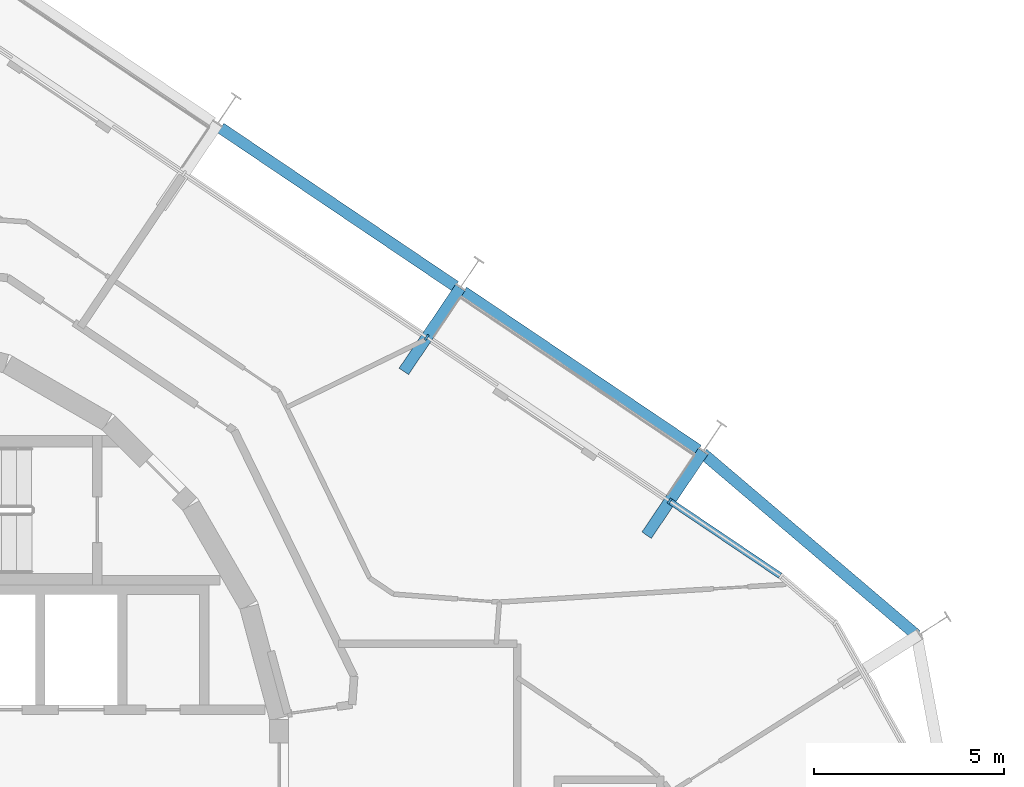
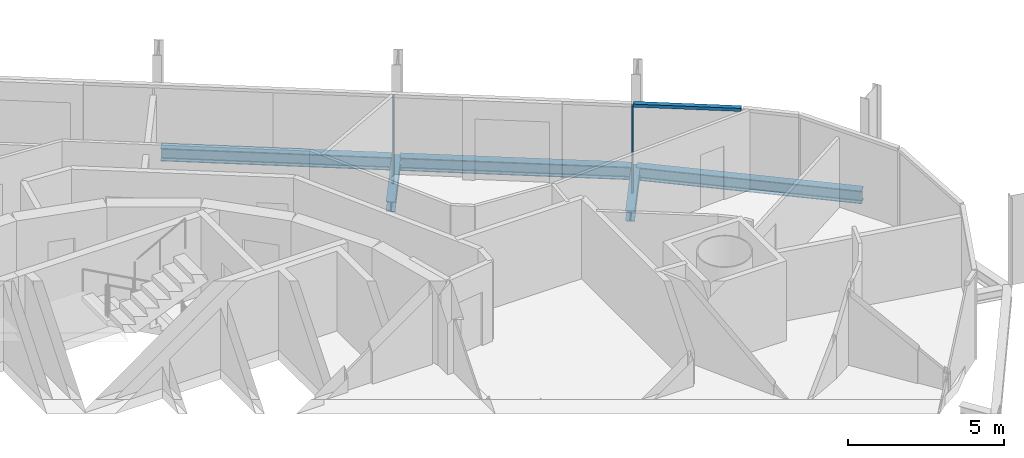
# One storey, part 9 of 18: 5 beams, 3 members, 2 elements without a shape of their own.
"""IFC4 building model written with IfcOpenShell, lengths in metres."""

from ifc_helpers import new_model, si_unit, direction, frame, origin, origin_2d, place, context, subcontext, project, spatial, rectangle, i_section, extrude, material, layer, layer_set, material_profile, profile_set, type_object, element, aggregate, save


model = new_model("IFC4")

# Units and contexts
model_context = context("Model", 3, precision=1e-05, world=origin(), true_north=direction((0.0, 1.0)))
body_context = subcontext(model_context, "Body", "Model", "MODEL_VIEW")
ifc_project = project(units=[si_unit("LENGTHUNIT", "METRE"), si_unit("AREAUNIT", "SQUARE_METRE"), si_unit("VOLUMEUNIT", "CUBIC_METRE"), si_unit("PLANEANGLEUNIT", "RADIAN"), si_unit("MASSUNIT", "GRAM", prefix="KILO")], contexts=[model_context])

# Site, building, storey
site_placement = place(None, origin())
site = spatial("IfcSite", under=ifc_project, at=site_placement, CompositionType="ELEMENT")
building_placement = place(site_placement, origin())
building = spatial("IfcBuilding", under=site, at=building_placement, Name="Spindle Arch Residences", CompositionType="ELEMENT")
storey_placement = place(building_placement, frame((0.0, 0.0, 205.89990234375)))
storey = spatial("IfcBuildingStorey", under=building, at=storey_placement, Name="L52", CompositionType="ELEMENT", Elevation=205.89990234375)

# Curtain wall, members
ifc_material_1 = material(Name="Aluminium bronze unitised frame with tinted glass", Category="aluminium")
ifc_layer_1 = layer(ifc_material_1, 0.159912109375)
ifc_layer_set_1 = layer_set([ifc_layer_1], Name="CW-C typical residential unitised wall")
curtain_wall_type_1 = type_object("IfcCurtainWallType", Name="CW-C typical residential unitised wall", PredefinedType="NOTDEFINED", material=ifc_layer_set_1)
curtain_wall_1_placement = place(storey_placement, origin())
curtain_wall_1 = element("IfcCurtainWall", 1, at=curtain_wall_1_placement, inside=storey, type_object=curtain_wall_type_1, Name="CW-C L52 run 2", PredefinedType="NOTDEFINED")
ifc_material_2 = material(Name="Aluminium bronze anodised mullion", Category="aluminium")
ifc_material_profile_1 = material_profile(ifc_material_2, rectangle(XDim=0.159912109375, YDim=0.06005859375, at=origin_2d()), Name="MU 60x160")
ifc_profile_set_1 = profile_set([ifc_material_profile_1], Name="Aluminium bronze anodised mullion")
member_type_1 = type_object("IfcMemberType", Name="Bronze mullion 60x160", PredefinedType="MULLION", material=ifc_profile_set_1)
member_1_placement = place(storey_placement, frame((21.905029296875, 7.25146484375, -0.3798828125), z_axis=(0.0, 0.0, 1.0), x_axis=(-0.559192903471, -0.829037572555, 0.0)))
member_1 = element("IfcMember", 2, at=member_1_placement, type_object=member_type_1, Name="CW-C mullion 05", PredefinedType="MULLION", context=body_context, shape_type="SweptSolid", body=[
    extrude(rectangle(XDim=0.159912109375, YDim=0.06005859375, at=origin_2d()), origin(), (0.0, 0.0, 1.0), 3.3798828125),
])
member_2_placement = place(storey_placement, frame((15.526611328125, 11.5537109375, -0.3798828125), z_axis=(0.0, 0.0, 1.0), x_axis=(-0.559192903471, -0.829037572555, 0.0)))
member_2 = element("IfcMember", 3, at=member_2_placement, type_object=member_type_1, Name="CW-C mullion 06", PredefinedType="MULLION", context=body_context, shape_type="SweptSolid", body=[
    extrude(rectangle(XDim=0.159912109375, YDim=0.06005859375, at=origin_2d()), origin(), (0.0, 0.0, 1.0), 3.3798828125),
])
aggregate(curtain_wall_1, [member_1, member_2])

# Curtain wall, member
ifc_material_3 = material(Name="Aluminium bronze unitised frame with tinted glass", Category="aluminium")
ifc_layer_2 = layer(ifc_material_3, 0.159912109375)
ifc_layer_set_2 = layer_set([ifc_layer_2], Name="CW-D corner wall on the fillet arcs")
curtain_wall_type_2 = type_object("IfcCurtainWallType", Name="CW-D corner wall on the fillet arcs", PredefinedType="NOTDEFINED", material=ifc_layer_set_2)
curtain_wall_2_placement = place(storey_placement, origin())
curtain_wall_2 = element("IfcCurtainWall", 4, at=curtain_wall_2_placement, inside=storey, type_object=curtain_wall_type_2, Name="CW-D L52 run 1", PredefinedType="NOTDEFINED")
ifc_material_4 = material(Name="Aluminium bronze anodised transom", Category="aluminium")
ifc_material_profile_2 = material_profile(ifc_material_4, rectangle(XDim=0.159912109375, YDim=0.1201171875, at=origin_2d()), Name="TR 120x160")
ifc_profile_set_2 = profile_set([ifc_material_profile_2], Name="Aluminium bronze anodised transom")
member_type_2 = type_object("IfcMemberType", Name="Bronze transom 120x160", PredefinedType="USERDEFINED", material=ifc_profile_set_2)
member_3_placement = place(storey_placement, frame((24.805419921875, 5.295166015625, 3.06005859375), z_axis=(-0.829049362711, 0.559175423448, 0.0), x_axis=(-0.559175423448, -0.829049362711, 0.0)))
member_3 = element("IfcMember", 5, at=member_3_placement, type_object=member_type_2, Name="CW-D transom 06", ObjectType="TRANSOM", PredefinedType="USERDEFINED", context=body_context, shape_type="SweptSolid", body=[
    extrude(rectangle(XDim=0.159912109375, YDim=0.1201171875, at=origin_2d()), origin(), (0.0, 0.0, 1.0), 3.468505859375),
])
aggregate(curtain_wall_2, [member_3])

# Beams
ifc_material_5 = material(Name="Steel S460ML, intumescent coating R 120", Category="steel")
ifc_material_profile_3 = material_profile(ifc_material_5, i_section(OverallWidth=0.300048828125, OverallDepth=0.5, WebThickness=0.014404296875, FlangeThickness=0.028076171875, FilletRadius=0.027099609375, at=origin_2d()), Name="HEB 500")
ifc_profile_set_3 = profile_set([ifc_material_profile_3], Name="Steel S460ML, intumescent coating R 120")
beam_type_1 = type_object("IfcBeamType", Name="Exoskeleton edge beam HEB 500", PredefinedType="BEAM", material=ifc_profile_set_3)
beam_placement = place(storey_placement, frame((28.39208984375, 3.72998046875, -0.6298828125), z_axis=(-0.761813327651, 0.647796614543, 0.0), x_axis=(-0.647796614543, -0.761813327651, 0.0)))
element("IfcBeam", 6, at=beam_placement, inside=storey, type_object=beam_type_1, Name="Exoskeleton edge beam 5", PredefinedType="BEAM", context=body_context, shape_type="SweptSolid", body=[
    extrude(i_section(OverallWidth=0.300048828125, OverallDepth=0.5, WebThickness=0.014404296875, FlangeThickness=0.028076171875, FilletRadius=0.027099609375, at=origin_2d()), origin(), (0.0, 0.0, 1.0), 7.36376953125),
])
for number, where, z_axis, x_axis, name in (
    (7, (22.65283203125, 8.592529296875, -0.6298828125), (-0.829031763913, 0.55920151504, 0.0), (-0.55920151504, -0.829031763913, 0.0), "Exoskeleton edge beam 6"),
    (8, (16.2744140625, 12.894775390625, -0.6298828125), (-0.829031763913, 0.55920151504, 0.0), (-0.55920151504, -0.829031763913, 0.0), "Exoskeleton edge beam 7"),
):
    element("IfcBeam", number, at=place(storey_placement, frame(where, z_axis=z_axis, x_axis=x_axis)), inside=storey, type_object=beam_type_1, Name=name, PredefinedType="BEAM", context=body_context, shape_type="SweptSolid", body=[
        extrude(i_section(OverallWidth=0.300048828125, OverallDepth=0.5, WebThickness=0.014404296875, FlangeThickness=0.028076171875, FilletRadius=0.027099609375, at=origin_2d()), origin(), (0.0, 0.0, 1.0), 7.433837890625),
    ])
ifc_material_6 = material(Name="Steel S460ML, intumescent coating R 120", Category="steel")
ifc_material_profile_4 = material_profile(ifc_material_6, i_section(OverallWidth=0.300048828125, OverallDepth=0.389892578125, WebThickness=0.010986328125, FlangeThickness=0.01904296875, FilletRadius=0.027099609375, at=origin_2d()), Name="HEA 400")
ifc_profile_set_4 = profile_set([ifc_material_profile_4], Name="Steel S460ML, intumescent coating R 120")
beam_type_2 = type_object("IfcBeamType", Name="Floor outrigger HEA 400", PredefinedType="BEAM", material=ifc_profile_set_4)
for number, where, z_axis, x_axis, name in (
    (9, (22.782958984375, 8.552978515625, -0.574951171875), (-0.559199099546, -0.829033393216, 0.0), (0.829033393216, -0.559199099546, 0.0), "Floor outrigger 6"),
    (10, (16.404541015625, 12.855224609375, -0.574951171875), (-0.559199099546, -0.829033393216, 0.0), (0.829033393216, -0.559199099546, 0.0), "Floor outrigger 7"),
):
    element("IfcBeam", number, at=place(storey_placement, frame(where, z_axis=z_axis, x_axis=x_axis)), inside=storey, type_object=beam_type_2, Name=name, PredefinedType="BEAM", context=body_context, shape_type="SweptSolid", body=[
        extrude(i_section(OverallWidth=0.300048828125, OverallDepth=0.389892578125, WebThickness=0.010986328125, FlangeThickness=0.01904296875, FilletRadius=0.027099609375, at=origin_2d()), origin(), (0.0, 0.0, 1.0), 2.650146484375),
    ])

save(model, "model.ifc")
